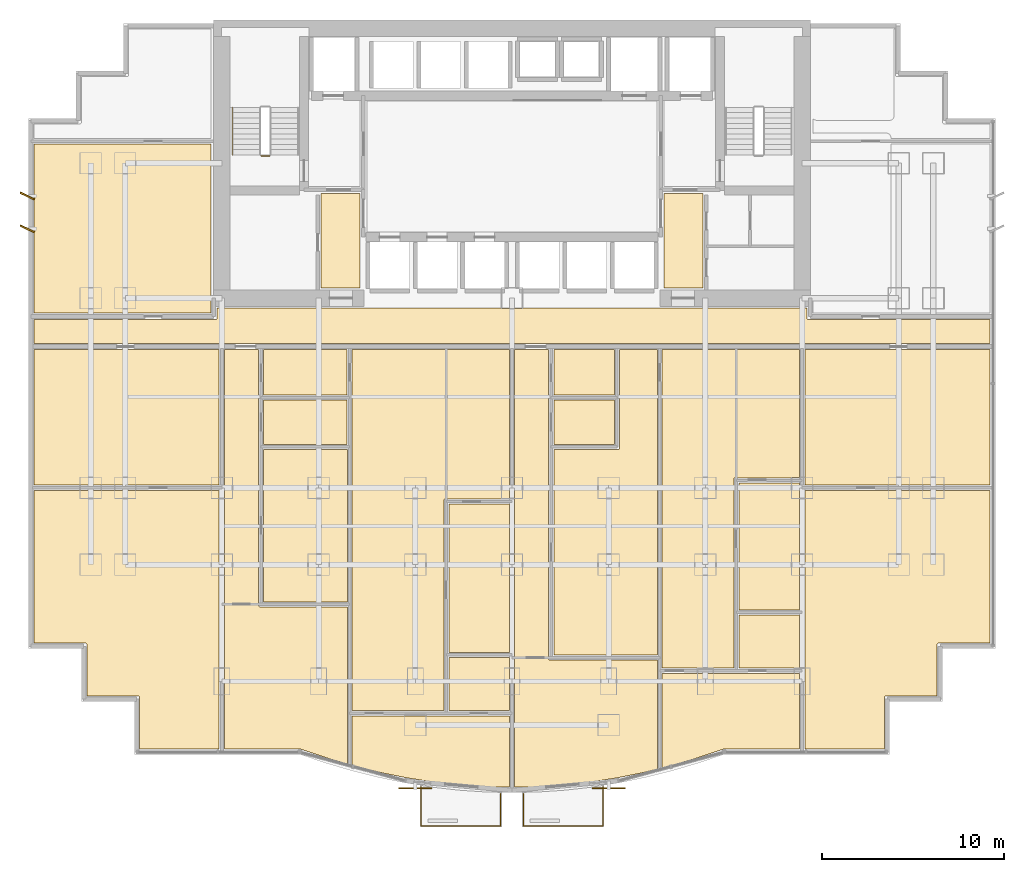
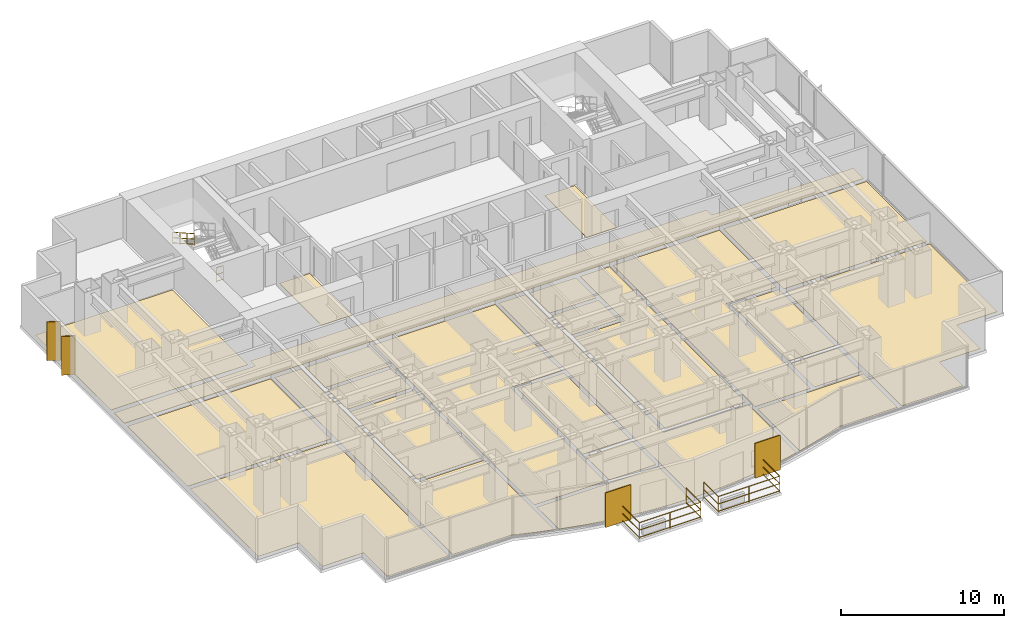
# One storey, part 11 of 12: 24 coverings, 4 railings, 4 shading devices.
"""IFC4 building model written with IfcOpenShell, lengths in metres."""

import ifcopenshell
import ifcopenshell.guid

model = None  # the IFC model being written
_history = None  # IfcOwnerHistory: only IFC2X3 demands one
_inside = {}  # id of a spatial element -> (the spatial element, [elements in it])
_under = {}  # id of a project, library or spatial element -> (it, [spatial elements below it])
_declared = {}  # id of a project -> (the project, [libraries it declares])
_typed = {}  # id of a type object -> (the type object, [elements of that type])
_made_of = {}  # id of a material, layer set ... -> (it, [elements and type objects made of it])


def new_model(schema):
    """Start an empty IFC model of exactly this schema.

    Asked for "IFC4X3", IfcOpenShell would pick the latest addendum, in which some entities
    have other attributes; the version numbers below select the first issue.
    IFC2X3 requires an IfcOwnerHistory on every rooted entity: one is made here for all.
    """
    global model, _history
    if schema == "IFC4X3":
        model = ifcopenshell.file(schema_version=(4, 3, 0, 0))
    else:
        model = ifcopenshell.file(schema=schema)
    _inside.clear()
    _under.clear()
    _declared.clear()
    _typed.clear()
    _made_of.clear()
    _history = None
    if model.schema == "IFC2X3":
        org = make("IfcOrganization", Name="unknown")
        user = make(
            "IfcPersonAndOrganization",
            ThePerson=make("IfcPerson", FamilyName="unknown"),
            TheOrganization=org,
        )
        app = make(
            "IfcApplication",
            ApplicationDeveloper=org,
            Version="unknown",
            ApplicationFullName="unknown",
            ApplicationIdentifier="unknown",
        )
        _history = make(
            "IfcOwnerHistory",
            OwningUser=user,
            OwningApplication=app,
            ChangeAction="ADDED",
            CreationDate=0,
        )
    return model


def make(cls, **values):
    """One entity of the class cls with the attributes given. An attribute that is None is left unset."""
    return model.create_entity(
        cls, **{name: value for name, value in values.items() if value is not None}
    )


def rooted(cls, **values):
    """An entity with a GlobalId (a new one), such as an element, a storey or a relation."""
    return make(cls, GlobalId=ifcopenshell.guid.new(), OwnerHistory=_history, **values)


def si_unit(unit_type, name, prefix=None):
    """IfcSIUnit, for example si_unit("LENGTHUNIT", "METRE", prefix="MILLI")."""
    return make("IfcSIUnit", UnitType=unit_type, Prefix=prefix, Name=name)


def assignment(units):
    """IfcUnitAssignment: the units of a project."""
    return None if units is None else make("IfcUnitAssignment", Units=units)


def point(xyz):
    """IfcCartesianPoint."""
    return None if xyz is None else make("IfcCartesianPoint", Coordinates=xyz)


def direction(xyz):
    """IfcDirection."""
    return None if xyz is None else make("IfcDirection", DirectionRatios=xyz)


def frame(location, z_axis=None, x_axis=None):
    """IfcAxis2Placement3D, a coordinate frame: its origin and axes. An axis left out is left unset."""
    return make(
        "IfcAxis2Placement3D",
        Location=point(location),
        Axis=direction(z_axis),
        RefDirection=direction(x_axis),
    )


def frame_2d(location, x_axis=None):
    """IfcAxis2Placement2D, a coordinate frame in the plane: its origin and x axis."""
    return make(
        "IfcAxis2Placement2D", Location=point(location), RefDirection=direction(x_axis)
    )


def origin():
    """The frame at (0, 0, 0) with its axes left unset."""
    return frame((0.0, 0.0, 0.0))


def origin_2d():
    """The frame at (0, 0) in the plane with its x axis left unset."""
    return frame_2d((0.0, 0.0))


def place(relative_to, where):
    """IfcLocalPlacement: puts the frame where relative to a parent placement (None: the world)."""
    return make(
        "IfcLocalPlacement", PlacementRelTo=relative_to, RelativePlacement=where
    )


def context(
    kind, dimensions, precision=None, world=None, true_north=None, identifier=None
):
    """IfcGeometricRepresentationContext, for example the 3D "Model" context."""
    return make(
        "IfcGeometricRepresentationContext",
        ContextIdentifier=identifier,
        ContextType=kind,
        CoordinateSpaceDimension=dimensions,
        Precision=precision,
        WorldCoordinateSystem=world,
        TrueNorth=true_north,
    )


def subcontext(parent, identifier, kind, view, scale=None):
    """IfcGeometricRepresentationSubContext, for example "Body" below "Model"."""
    return make(
        "IfcGeometricRepresentationSubContext",
        ContextIdentifier=identifier,
        ContextType=kind,
        ParentContext=parent,
        TargetScale=scale,
        TargetView=view,
    )


def project(units=None, contexts=None):
    """IfcProject with its units and contexts."""
    return rooted(
        "IfcProject",
        Name="project",
        RepresentationContexts=contexts,
        UnitsInContext=assignment(units),
    )


def spatial(cls, under=None, at=None, **own):
    """A site, building, storey or space (cls), placed at a placement, below another one or the project."""
    s = rooted(cls, ObjectPlacement=at, **own)
    if under is not None:
        _under.setdefault(under.id(), (under, []))[1].append(s)
    return s


def polyline(points):
    """IfcPolyline through the points."""
    return make("IfcPolyline", Points=[point(p) for p in points])


def profile(cls, at=None, kind="AREA", **sizes):
    """A parametric profile (cls). Its sizes go by their IFC names, for example OverallWidth=200.0."""
    return make(cls, ProfileType=kind, Position=at, **sizes)


def rectangle(**sizes):
    """IfcRectangleProfileDef."""
    return profile("IfcRectangleProfileDef", **sizes)


def circle(**sizes):
    """IfcCircleProfileDef."""
    return profile("IfcCircleProfileDef", **sizes)


def outline(outer, holes=None, kind="AREA"):
    """IfcArbitraryClosedProfileDef: a profile drawn as a closed curve; with holes, ...WithVoids."""
    if holes is None:
        return make("IfcArbitraryClosedProfileDef", ProfileType=kind, OuterCurve=outer)
    return make(
        "IfcArbitraryProfileDefWithVoids",
        ProfileType=kind,
        OuterCurve=outer,
        InnerCurves=holes,
    )


def extrude(swept, where, along, depth):
    """IfcExtrudedAreaSolid: the profile swept, set in the frame where, extruded along a direction by depth."""
    return make(
        "IfcExtrudedAreaSolid",
        SweptArea=swept,
        Position=where,
        ExtrudedDirection=direction(along),
        Depth=depth,
    )


def shape(context_of_items, identifier, shape_type, items):
    """IfcShapeRepresentation: the items that make up one representation, for example the "Body"."""
    return make(
        "IfcShapeRepresentation",
        ContextOfItems=context_of_items,
        RepresentationIdentifier=identifier,
        RepresentationType=shape_type,
        Items=items,
    )


def source(mapping_origin, context_of_items, identifier, shape_type, items):
    """IfcRepresentationMap: a shape defined once, which mapped items show again and again."""
    return make(
        "IfcRepresentationMap",
        MappingOrigin=mapping_origin,
        MappedRepresentation=shape(context_of_items, identifier, shape_type, items),
    )


def transform(
    local_origin,
    x_axis=None,
    y_axis=None,
    z_axis=None,
    scale=None,
    scale2=None,
    scale3=None,
    uniform=True,
):
    """IfcCartesianTransformationOperator3D, or its non-uniform kind. x_axis, y_axis, z_axis: its Axis1, 2, 3."""
    if uniform:
        return make(
            "IfcCartesianTransformationOperator3D",
            Axis1=direction(x_axis),
            Axis2=direction(y_axis),
            LocalOrigin=point(local_origin),
            Scale=scale,
            Axis3=direction(z_axis),
        )
    return make(
        "IfcCartesianTransformationOperator3DnonUniform",
        Axis1=direction(x_axis),
        Axis2=direction(y_axis),
        LocalOrigin=point(local_origin),
        Scale=scale,
        Axis3=direction(z_axis),
        Scale2=scale2,
        Scale3=scale3,
    )


def mapped(mapping_source, mapping_target):
    """IfcMappedItem: shows the shape of a source again, moved by a transform."""
    return make(
        "IfcMappedItem", MappingSource=mapping_source, MappingTarget=mapping_target
    )


def material(Name=None, Category=None):
    """IfcMaterial."""
    return make("IfcMaterial", Name=Name, Category=Category)


def layer(
    of_material, thickness, ventilated=None, Name=None, Category=None, Priority=None
):
    """IfcMaterialLayer: one layer of a wall or slab, of a material (None: an air gap)."""
    return make(
        "IfcMaterialLayer",
        Material=of_material,
        LayerThickness=thickness,
        IsVentilated=ventilated,
        Name=Name,
        Category=Category,
        Priority=Priority,
    )


def layer_set(layers, Name=None):
    """IfcMaterialLayerSet."""
    return make("IfcMaterialLayerSet", MaterialLayers=layers, LayerSetName=Name)


def made_of(thing, what):
    """Note that an element or type object is made of a material, layer set ...; save() writes the relation."""
    if what is not None:
        _made_of.setdefault(what.id(), (what, []))[1].append(thing)
    return thing


def type_object(cls, material=None, **own):
    """A type object (cls), such as IfcWallType, which elements share."""
    return made_of(rooted(cls, **own), material)


def element(
    cls,
    number,
    at=None,
    inside=None,
    cuts=None,
    type_object=None,
    material=None,
    context=None,
    identifier="Body",
    shape_type=None,
    held_by="IfcProductDefinitionShape",
    body=None,
    shapes=None,
    **own,
):
    """One element of the class cls, such as IfcWall. Its Tag is "e" and its number.

    at: its placement. inside: the storey or other place that contains it. cuts: it is an
    opening in that element (IfcRelVoidsElement). A single representation is given by context,
    identifier, shape_type and body (its items); several are given by shapes. held_by: the class
    of the entity that holds the representations. save() writes the other relations.
    """
    e = rooted(cls, Tag="e%d" % number, ObjectPlacement=at, **own)
    if body is not None:
        shapes = [shape(context, identifier, shape_type, body)]
    if shapes is not None:
        e.Representation = make(held_by, Representations=shapes)
    if inside is not None:
        _inside.setdefault(inside.id(), (inside, []))[1].append(e)
    if cuts is not None:
        rooted(
            "IfcRelVoidsElement", RelatingBuildingElement=cuts, RelatedOpeningElement=e
        )
    if type_object is not None:
        _typed.setdefault(type_object.id(), (type_object, []))[1].append(e)
    return made_of(e, material)


def aggregate(whole, parts):
    """IfcRelAggregates: a whole, such as a stair, and the parts it consists of."""
    return rooted("IfcRelAggregates", RelatingObject=whole, RelatedObjects=parts)


def save(model, path):
    """Write the relations noted so far, then the file.

    IfcRelAggregates (storeys below a building ...), IfcRelContainedInSpatialStructure (elements
    in a storey), IfcRelDefinesByType, IfcRelAssociatesMaterial and IfcRelDeclares: one each for
    every whole, place, type object, material and project.
    """
    for whole, parts in _under.values():
        aggregate(whole, parts)
    for where, things in _inside.values():
        rooted(
            "IfcRelContainedInSpatialStructure",
            RelatedElements=things,
            RelatingStructure=where,
        )
    for kind, things in _typed.values():
        rooted("IfcRelDefinesByType", RelatedObjects=things, RelatingType=kind)
    for what, things in _made_of.values():
        rooted("IfcRelAssociatesMaterial", RelatedObjects=things, RelatingMaterial=what)
    for by, libraries in _declared.values():
        rooted("IfcRelDeclares", RelatingContext=by, RelatedDefinitions=libraries)
    model.write(path)


model = new_model("IFC4")

# Units and contexts
model_context = context("Model", 3, precision=1e-05, world=origin(), true_north=direction((0.0, 1.0)))
body_context = subcontext(model_context, "Body", "Model", "MODEL_VIEW")
ifc_project = project(units=[si_unit("LENGTHUNIT", "METRE"), si_unit("AREAUNIT", "SQUARE_METRE"), si_unit("VOLUMEUNIT", "CUBIC_METRE"), si_unit("PLANEANGLEUNIT", "RADIAN"), si_unit("MASSUNIT", "GRAM", prefix="KILO")], contexts=[model_context])

# Site, building, storey
site_placement = place(None, origin())
site = spatial("IfcSite", under=ifc_project, at=site_placement, CompositionType="ELEMENT")
building_placement = place(site_placement, origin())
building = spatial("IfcBuilding", under=site, at=building_placement, Name="Qianlan Lanfeng Residences", CompositionType="ELEMENT")
storey_placement = place(building_placement, frame((0.0, 0.0, 44.0)))
storey = spatial("IfcBuildingStorey", under=building, at=storey_placement, Name="L11", CompositionType="ELEMENT", Elevation=44.0)

# Coverings
ifc_material_1 = material(Name="Honed Taitung Granite Stone Flooring", Category="masonry")
ifc_layer_1 = layer(ifc_material_1, 0.030029296875)
ifc_layer_set_1 = layer_set([ifc_layer_1], Name="Honed Taitung Granite Stone Flooring")
covering_type_1 = type_object("IfcCoveringType", Name="FLR-STN-30", PredefinedType="FLOORING", material=ifc_layer_set_1)
covering_1_placement = place(storey_placement, origin())
element("IfcCovering", 1, at=covering_1_placement, inside=storey, type_object=covering_type_1, Name="L11 Residential Corridor Floor Finish", PredefinedType="FLOORING", context=body_context, shape_type="SweptSolid", body=[
    extrude(outline(polyline([(0.2900390625, 22.72998046875), (52.7099609375, 22.72998046875), (52.7099609375, 24.02001953125), (42.739990234375, 24.02001953125), (42.73291015625, 24.02001953125), (42.72607421875, 24.02099609375), (42.719970703125, 24.02294921875), (42.712890625, 24.02490234375), (42.70703125, 24.028076171875), (42.700927734375, 24.031982421875), (42.696044921875, 24.035888671875), (42.69091796875, 24.041015625), (42.68603515625, 24.0458984375), (42.681884765625, 24.051025390625), (42.677978515625, 24.056884765625), (42.675048828125, 24.06298828125), (42.673095703125, 24.070068359375), (42.6708984375, 24.075927734375), (42.669921875, 24.0830078125), (42.669921875, 24.090087890625), (42.669921875, 24.64990234375), (10.330078125, 24.64990234375), (10.330078125, 24.090087890625), (10.330078125, 24.0830078125), (10.3291015625, 24.075927734375), (10.326904296875, 24.070068359375), (10.324951171875, 24.06298828125), (10.322021484375, 24.056884765625), (10.318115234375, 24.051025390625), (10.31396484375, 24.0458984375), (10.30908203125, 24.041015625), (10.303955078125, 24.035888671875), (10.299072265625, 24.031982421875), (10.29296875, 24.028076171875), (10.287109375, 24.02490234375), (10.280029296875, 24.02294921875), (10.27392578125, 24.02099609375), (10.26708984375, 24.02001953125), (10.260009765625, 24.02001953125), (0.2900390625, 24.02001953125), (0.2900390625, 22.72998046875)])), origin(), (0.0, 0.0, 1.0), 0.030029296875),
])
covering_2_placement = place(storey_placement, origin())
element("IfcCovering", 2, at=covering_2_placement, inside=storey, type_object=covering_type_1, Name="L11 Lift Lobby Floor Finish", PredefinedType="FLOORING", context=body_context, shape_type="SweptSolid", body=[
    extrude(outline(polyline([(16.030029296875, 25.760009765625), (18.169921875, 25.760009765625), (18.169921875, 30.949951171875), (16.030029296875, 30.949951171875), (16.030029296875, 25.760009765625)])), origin(), (0.0, 0.0, 1.0), 0.030029296875),
])
covering_3_placement = place(storey_placement, origin())
element("IfcCovering", 3, at=covering_3_placement, inside=storey, type_object=covering_type_1, Name="L11 Lift Lobby Floor Finish", PredefinedType="FLOORING", context=body_context, shape_type="SweptSolid", body=[
    extrude(outline(polyline([(34.830078125, 25.760009765625), (36.969970703125, 25.760009765625), (36.969970703125, 30.949951171875), (34.830078125, 30.949951171875), (34.830078125, 25.760009765625)])), origin(), (0.0, 0.0, 1.0), 0.030029296875),
])
ifc_material_2 = material(Name="Slip-Resistant Porcelain Tile Flooring")
ifc_layer_2 = layer(ifc_material_2, 0.02001953125)
ifc_layer_set_2 = layer_set([ifc_layer_2], Name="Slip-Resistant Porcelain Tile Flooring")
covering_type_2 = type_object("IfcCoveringType", Name="FLR-TIL-20", PredefinedType="FLOORING", material=ifc_layer_set_2)
covering_4_placement = place(storey_placement, origin())
element("IfcCovering", 4, at=covering_4_placement, inside=storey, type_object=covering_type_2, Name="L11 Kitchen Floor Finish", PredefinedType="FLOORING", context=body_context, shape_type="SweptSolid", body=[
    extrude(outline(polyline([(12.889892578125, 17.18994140625), (17.4599609375, 17.18994140625), (17.4599609375, 19.610107421875), (12.889892578125, 19.610107421875), (12.889892578125, 17.18994140625)])), origin(), (0.0, 0.0, 1.0), 0.02001953125),
])
covering_5_placement = place(storey_placement, origin())
element("IfcCovering", 5, at=covering_5_placement, inside=storey, type_object=covering_type_2, Name="L11 Bathroom Floor Finish", PredefinedType="FLOORING", context=body_context, shape_type="SweptSolid", body=[
    extrude(outline(polyline([(12.889892578125, 19.889892578125), (17.4599609375, 19.889892578125), (17.4599609375, 22.3798828125), (12.889892578125, 22.3798828125), (12.889892578125, 19.889892578125)])), origin(), (0.0, 0.0, 1.0), 0.02001953125),
])
covering_6_placement = place(storey_placement, origin())
element("IfcCovering", 6, at=covering_6_placement, inside=storey, type_object=covering_type_2, Name="L11 En-Suite Bathroom Floor Finish", PredefinedType="FLOORING", context=body_context, shape_type="SweptSolid", body=[
    extrude(outline(polyline([(23.0400390625, 2.591064453125), (26.3701171875, 2.591064453125), (26.3701171875, 5.510986328125), (23.0400390625, 5.510986328125), (23.0400390625, 2.591064453125)])), origin(), (0.0, 0.0, 1.0), 0.02001953125),
])
covering_7_placement = place(storey_placement, origin())
element("IfcCovering", 7, at=covering_7_placement, inside=storey, type_object=covering_type_2, Name="L11 Kitchen Floor Finish", PredefinedType="FLOORING", context=body_context, shape_type="SweptSolid", body=[
    extrude(outline(polyline([(28.7900390625, 17.18994140625), (32.110107421875, 17.18994140625), (32.110107421875, 19.610107421875), (28.7900390625, 19.610107421875), (28.7900390625, 17.18994140625)])), origin(), (0.0, 0.0, 1.0), 0.02001953125),
])
covering_8_placement = place(storey_placement, origin())
element("IfcCovering", 8, at=covering_8_placement, inside=storey, type_object=covering_type_2, Name="L11 Bathroom Floor Finish", PredefinedType="FLOORING", context=body_context, shape_type="SweptSolid", body=[
    extrude(outline(polyline([(28.7900390625, 19.889892578125), (32.110107421875, 19.889892578125), (32.110107421875, 22.3798828125), (28.7900390625, 22.3798828125), (28.7900390625, 19.889892578125)])), origin(), (0.0, 0.0, 1.0), 0.02001953125),
])
covering_9_placement = place(storey_placement, origin())
element("IfcCovering", 9, at=covering_9_placement, inside=storey, type_object=covering_type_2, Name="L11 En-Suite Bathroom Floor Finish", PredefinedType="FLOORING", context=body_context, shape_type="SweptSolid", body=[
    extrude(outline(polyline([(38.93994140625, 4.9189453125), (42.27001953125, 4.9189453125), (42.27001953125, 7.839111328125), (38.93994140625, 7.839111328125), (38.93994140625, 4.9189453125)])), origin(), (0.0, 0.0, 1.0), 0.02001953125),
])
ifc_material_3 = material(Name="Engineered Smoked Oak Timber Flooring", Category="wood")
ifc_layer_3 = layer(ifc_material_3, 0.02197265625)
ifc_layer_set_3 = layer_set([ifc_layer_3], Name="Engineered Smoked Oak Timber Flooring")
covering_type_3 = type_object("IfcCoveringType", Name="FLR-TIM-22", PredefinedType="FLOORING", material=ifc_layer_set_3)
covering_10_placement = place(storey_placement, origin())
element("IfcCovering", 10, at=covering_10_placement, inside=storey, type_object=covering_type_3, Name="L11 Living and Dining Room Floor Finish", PredefinedType="FLOORING", context=body_context, shape_type="SweptSolid", body=[
    extrude(outline(polyline([(17.469970703125, -0.3310546875), (17.469970703125, 8.280029296875), (12.679931640625, 8.280029296875), (12.673095703125, 8.280029296875), (12.666015625, 8.281005859375), (12.659912109375, 8.282958984375), (12.653076171875, 8.284912109375), (12.64697265625, 8.2880859375), (12.64111328125, 8.2919921875), (12.635986328125, 8.2958984375), (12.631103515625, 8.301025390625), (12.6259765625, 8.305908203125), (12.6220703125, 8.31103515625), (12.617919921875, 8.31689453125), (12.614990234375, 8.322998046875), (12.613037109375, 8.330078125), (12.611083984375, 8.3359375), (12.610107421875, 8.343017578125), (12.610107421875, 8.35009765625), (12.610107421875, 22.3798828125), (10.72998046875, 22.3798828125), (10.72998046875, 0.489990234375), (14.885986328125, 0.489990234375), (14.89404296875, 0.489990234375), (14.90087890625, 0.488037109375), (14.908935546875, 0.486083984375), (16.39306640625, -0.014892578125), (17.469970703125, -0.3310546875)])), origin(), (0.0, 0.0, 1.0), 0.02197265625),
])
covering_11_placement = place(storey_placement, origin())
element("IfcCovering", 11, at=covering_11_placement, inside=storey, type_object=covering_type_3, Name="L11 Villa Family Sitting Room Floor Finish", PredefinedType="FLOORING", context=body_context, shape_type="SweptSolid", body=[
    extrude(outline(polyline([(12.889892578125, 16.909912109375), (12.889892578125, 8.56005859375), (17.469970703125, 8.56005859375), (17.469970703125, 16.909912109375), (12.889892578125, 16.909912109375)])), origin(), (0.0, 0.0, 1.0), 0.02197265625),
])
covering_12_placement = place(storey_placement, origin())
element("IfcCovering", 12, at=covering_12_placement, inside=storey, type_object=covering_type_3, Name="L11 Private Study Floor Finish", PredefinedType="FLOORING", context=body_context, shape_type="SweptSolid", body=[
    extrude(outline(polyline([(23.0400390625, 5.791015625), (26.3701171875, 5.791015625), (26.3701171875, 13.909912109375), (23.0400390625, 13.909912109375), (23.0400390625, 5.791015625)])), origin(), (0.0, 0.0, 1.0), 0.02197265625),
])
covering_13_placement = place(storey_placement, origin())
element("IfcCovering", 13, at=covering_13_placement, inside=storey, type_object=covering_type_3, Name="L11 Villa Family Sitting Room Floor Finish", PredefinedType="FLOORING", context=body_context, shape_type="SweptSolid", body=[
    extrude(outline(polyline([(17.72998046875, 2.591064453125), (22.760009765625, 2.591064453125), (22.760009765625, 14.1201171875), (22.760009765625, 14.126953125), (22.760986328125, 14.134033203125), (22.762939453125, 14.139892578125), (22.764892578125, 14.14697265625), (22.76806640625, 14.153076171875), (22.77197265625, 14.158935546875), (22.77587890625, 14.1640625), (22.781005859375, 14.1689453125), (22.785888671875, 14.174072265625), (22.791015625, 14.177978515625), (22.797119140625, 14.181884765625), (22.802978515625, 14.18505859375), (22.81005859375, 14.18701171875), (22.81591796875, 14.18896484375), (22.822998046875, 14.18994140625), (22.830078125, 14.18994140625), (26.3701171875, 14.18994140625), (26.3701171875, 22.3798828125), (17.72998046875, 22.3798828125), (17.72998046875, 2.591064453125)])), origin(), (0.0, 0.0, 1.0), 0.02197265625),
])
covering_14_placement = place(storey_placement, origin())
element("IfcCovering", 14, at=covering_14_placement, inside=storey, type_object=covering_type_3, Name="L11 Master Bedroom Floor Finish", PredefinedType="FLOORING", context=body_context, shape_type="SweptSolid", body=[
    extrude(outline(polyline([(17.72998046875, 2.31103515625), (17.72998046875, -0.406982421875), (17.837890625, -0.43896484375), (19.282958984375, -0.797119140625), (20.72607421875, -1.090087890625), (22.169921875, -1.318115234375), (23.613037109375, -1.47998046875), (25.056884765625, -1.576904296875), (26.3701171875, -1.60693359375), (26.3701171875, 2.31103515625), (17.72998046875, 2.31103515625)])), origin(), (0.0, 0.0, 1.0), 0.02197265625),
])
covering_15_placement = place(storey_placement, origin())
element("IfcCovering", 15, at=covering_15_placement, inside=storey, type_object=covering_type_3, Name="L11 Living and Dining Room Floor Finish", PredefinedType="FLOORING", context=body_context, shape_type="SweptSolid", body=[
    extrude(outline(polyline([(34.469970703125, -0.610107421875), (34.469970703125, 5.35400390625), (28.580078125, 5.35400390625), (28.572998046875, 5.35400390625), (28.56591796875, 5.35498046875), (28.56005859375, 5.35693359375), (28.552978515625, 5.35888671875), (28.547119140625, 5.362060546875), (28.541015625, 5.365966796875), (28.535888671875, 5.3701171875), (28.531005859375, 5.375), (28.52587890625, 5.3798828125), (28.52197265625, 5.385009765625), (28.51806640625, 5.39111328125), (28.514892578125, 5.39697265625), (28.512939453125, 5.404052734375), (28.510986328125, 5.409912109375), (28.510009765625, 5.4169921875), (28.510009765625, 5.424072265625), (28.510009765625, 22.3798828125), (26.6298828125, 22.3798828125), (26.6298828125, -1.60693359375), (27.943115234375, -1.576904296875), (29.385986328125, -1.47998046875), (30.830078125, -1.318115234375), (32.27392578125, -1.090087890625), (33.717041015625, -0.797119140625), (34.469970703125, -0.610107421875)])), origin(), (0.0, 0.0, 1.0), 0.02197265625),
])
covering_16_placement = place(storey_placement, origin())
element("IfcCovering", 16, at=covering_16_placement, inside=storey, type_object=covering_type_3, Name="L11 Villa Family Sitting Room Floor Finish", PredefinedType="FLOORING", context=body_context, shape_type="SweptSolid", body=[
    extrude(outline(polyline([(28.7900390625, 5.634033203125), (34.469970703125, 5.634033203125), (34.469970703125, 22.3798828125), (32.389892578125, 22.3798828125), (32.389892578125, 16.97998046875), (32.389892578125, 16.972900390625), (32.388916015625, 16.966064453125), (32.386962890625, 16.9599609375), (32.385009765625, 16.952880859375), (32.382080078125, 16.947021484375), (32.3779296875, 16.94091796875), (32.3740234375, 16.93603515625), (32.368896484375, 16.930908203125), (32.364013671875, 16.926025390625), (32.35888671875, 16.922119140625), (32.35302734375, 16.91796875), (32.346923828125, 16.9150390625), (32.340087890625, 16.9130859375), (32.333984375, 16.910888671875), (32.326904296875, 16.909912109375), (32.320068359375, 16.909912109375), (28.7900390625, 16.909912109375), (28.7900390625, 5.634033203125)])), origin(), (0.0, 0.0, 1.0), 0.02197265625),
])
covering_17_placement = place(storey_placement, origin())
element("IfcCovering", 17, at=covering_17_placement, inside=storey, type_object=covering_type_3, Name="L11 Private Study Floor Finish", PredefinedType="FLOORING", context=body_context, shape_type="SweptSolid", body=[
    extrude(outline(polyline([(38.93994140625, 8.118896484375), (42.27001953125, 8.118896484375), (42.27001953125, 15.073974609375), (38.93994140625, 15.073974609375), (38.93994140625, 8.118896484375)])), origin(), (0.0, 0.0, 1.0), 0.02197265625),
])
covering_18_placement = place(storey_placement, origin())
element("IfcCovering", 18, at=covering_18_placement, inside=storey, type_object=covering_type_3, Name="L11 Villa Family Sitting Room Floor Finish", PredefinedType="FLOORING", context=body_context, shape_type="SweptSolid", body=[
    extrude(outline(polyline([(34.72998046875, 4.9189453125), (38.659912109375, 4.9189453125), (38.659912109375, 15.283935546875), (38.659912109375, 15.291015625), (38.660888671875, 15.298095703125), (38.6630859375, 15.303955078125), (38.6650390625, 15.31103515625), (38.66796875, 15.31689453125), (38.672119140625, 15.322998046875), (38.676025390625, 15.327880859375), (38.680908203125, 15.3330078125), (38.68603515625, 15.337890625), (38.69091796875, 15.342041015625), (38.697021484375, 15.345947265625), (38.702880859375, 15.34912109375), (38.7099609375, 15.35107421875), (38.716064453125, 15.35302734375), (38.722900390625, 15.35400390625), (38.72998046875, 15.35400390625), (42.27001953125, 15.35400390625), (42.27001953125, 22.3798828125), (34.72998046875, 22.3798828125), (34.72998046875, 4.9189453125)])), origin(), (0.0, 0.0, 1.0), 0.02197265625),
])
covering_19_placement = place(storey_placement, origin())
element("IfcCovering", 19, at=covering_19_placement, inside=storey, type_object=covering_type_3, Name="L11 Master Bedroom Floor Finish", PredefinedType="FLOORING", context=body_context, shape_type="SweptSolid", body=[
    extrude(outline(polyline([(34.72998046875, 4.638916015625), (34.72998046875, -0.5458984375), (35.160888671875, -0.43896484375), (36.60693359375, -0.014892578125), (38.091064453125, 0.486083984375), (38.09912109375, 0.488037109375), (38.10595703125, 0.489990234375), (38.114013671875, 0.489990234375), (42.27001953125, 0.489990234375), (42.27001953125, 4.638916015625), (34.72998046875, 4.638916015625)])), origin(), (0.0, 0.0, 1.0), 0.02197265625),
])
covering_20_placement = place(storey_placement, origin())
element("IfcCovering", 20, at=covering_20_placement, inside=storey, type_object=covering_type_3, Name="L11 Sunroom Floor Finish", PredefinedType="FLOORING", context=body_context, shape_type="SweptSolid", body=[
    extrude(outline(polyline([(10.43994140625, 14.64990234375), (0.2900390625, 14.64990234375), (0.2900390625, 6.2900390625), (3.1201171875, 6.2900390625), (3.126953125, 6.2900390625), (3.134033203125, 6.2890625), (3.139892578125, 6.287109375), (3.14697265625, 6.284912109375), (3.153076171875, 6.281982421875), (3.158935546875, 6.278076171875), (3.1640625, 6.27392578125), (3.1689453125, 6.26904296875), (3.174072265625, 6.263916015625), (3.177978515625, 6.259033203125), (3.181884765625, 6.2529296875), (3.18505859375, 6.2470703125), (3.18701171875, 6.239990234375), (3.18896484375, 6.23388671875), (3.18994140625, 6.22705078125), (3.18994140625, 6.219970703125), (3.18994140625, 3.389892578125), (6.02001953125, 3.389892578125), (6.027099609375, 3.389892578125), (6.033935546875, 3.388916015625), (6.0400390625, 3.386962890625), (6.047119140625, 3.385009765625), (6.052978515625, 3.382080078125), (6.05908203125, 3.3779296875), (6.06396484375, 3.3740234375), (6.069091796875, 3.368896484375), (6.073974609375, 3.364013671875), (6.077880859375, 3.35888671875), (6.08203125, 3.35302734375), (6.0849609375, 3.346923828125), (6.0869140625, 3.340087890625), (6.089111328125, 3.333984375), (6.090087890625, 3.326904296875), (6.090087890625, 3.320068359375), (6.090087890625, 0.489990234375), (10.43994140625, 0.489990234375), (10.43994140625, 14.64990234375)])), origin(), (0.0, 0.0, 1.0), 0.02197265625),
])
covering_21_placement = place(storey_placement, origin())
element("IfcCovering", 21, at=covering_21_placement, inside=storey, type_object=covering_type_3, Name="L11 Family Sitting Room Floor Finish", PredefinedType="FLOORING", context=body_context, shape_type="SweptSolid", body=[
    extrude(outline(polyline([(10.43994140625, 22.3798828125), (0.2900390625, 22.3798828125), (0.2900390625, 14.949951171875), (10.43994140625, 14.949951171875), (10.43994140625, 22.3798828125)])), origin(), (0.0, 0.0, 1.0), 0.02197265625),
])
covering_22_placement = place(storey_placement, origin())
element("IfcCovering", 22, at=covering_22_placement, inside=storey, type_object=covering_type_3, Name="L11 Sunroom Floor Finish", PredefinedType="FLOORING", context=body_context, shape_type="SweptSolid", body=[
    extrude(outline(polyline([(52.7099609375, 14.64990234375), (42.56005859375, 14.64990234375), (42.56005859375, 0.489990234375), (46.909912109375, 0.489990234375), (46.909912109375, 3.320068359375), (46.909912109375, 3.326904296875), (46.910888671875, 3.333984375), (46.9130859375, 3.340087890625), (46.9150390625, 3.346923828125), (46.91796875, 3.35302734375), (46.922119140625, 3.35888671875), (46.926025390625, 3.364013671875), (46.930908203125, 3.368896484375), (46.93603515625, 3.3740234375), (46.94091796875, 3.3779296875), (46.947021484375, 3.382080078125), (46.952880859375, 3.385009765625), (46.9599609375, 3.386962890625), (46.966064453125, 3.388916015625), (46.972900390625, 3.389892578125), (46.97998046875, 3.389892578125), (49.81005859375, 3.389892578125), (49.81005859375, 6.219970703125), (49.81005859375, 6.22705078125), (49.81103515625, 6.23388671875), (49.81298828125, 6.239990234375), (49.81494140625, 6.2470703125), (49.818115234375, 6.2529296875), (49.822021484375, 6.259033203125), (49.825927734375, 6.263916015625), (49.8310546875, 6.26904296875), (49.8359375, 6.27392578125), (49.841064453125, 6.278076171875), (49.846923828125, 6.281982421875), (49.85302734375, 6.284912109375), (49.860107421875, 6.287109375), (49.865966796875, 6.2890625), (49.873046875, 6.2900390625), (49.8798828125, 6.2900390625), (52.7099609375, 6.2900390625), (52.7099609375, 14.64990234375)])), origin(), (0.0, 0.0, 1.0), 0.02197265625),
])
covering_23_placement = place(storey_placement, origin())
element("IfcCovering", 23, at=covering_23_placement, inside=storey, type_object=covering_type_3, Name="L11 Private Study Floor Finish", PredefinedType="FLOORING", context=body_context, shape_type="SweptSolid", body=[
    extrude(outline(polyline([(52.7099609375, 22.3798828125), (42.56005859375, 22.3798828125), (42.56005859375, 14.949951171875), (52.7099609375, 14.949951171875), (52.7099609375, 22.3798828125)])), origin(), (0.0, 0.0, 1.0), 0.02197265625),
])
covering_24_placement = place(storey_placement, origin())
element("IfcCovering", 24, at=covering_24_placement, inside=storey, type_object=covering_type_3, Name="L11 Piano Salon Floor Finish", PredefinedType="FLOORING", context=body_context, shape_type="SweptSolid", body=[
    extrude(outline(polyline([(10.0, 33.64990234375), (0.2900390625, 33.64990234375), (0.2900390625, 24.3798828125), (10.0, 24.3798828125), (10.0, 33.64990234375)])), origin(), (0.0, 0.0, 1.0), 0.02197265625),
])

# Railings
ifc_material_4 = material(Name="Anodised Bronze Aluminium and Laminated Glass Guard Balustrade", Category="aluminium")
railing_type_1 = type_object("IfcRailingType", Name="GR-EXT-1220", PredefinedType="BALUSTRADE", material=ifc_material_4)
railing_1_placement = place(storey_placement, frame((25.8798828125, -1.9560546875, 0.0)))
element("IfcRailing", 25, at=railing_1_placement, inside=storey, type_object=railing_type_1, Name="L11 Terrace Safety Guard GR-L11-SB-W", PredefinedType="BALUSTRADE", context=body_context, shape_type="SweptSolid", body=[
    extrude(circle(Radius=0.02490234375, at=origin_2d()), frame((0.0, 0.0, 0.0849609375), z_axis=(0.0, -1.0, 0.0), x_axis=(1.0, 0.0, 0.0)), (0.0, 0.0, 1.0), 1.77392578125),
    extrude(circle(Radius=0.02490234375, at=origin_2d()), frame((0.0, 0.0, 0.63427734375), z_axis=(0.0, -1.0, 0.0), x_axis=(1.0, 0.0, 0.0)), (0.0, 0.0, 1.0), 1.77392578125),
    extrude(circle(Radius=0.02490234375, at=origin_2d()), frame((0.0, 0.0, 1.19482421875), z_axis=(0.0, -1.0, 0.0), x_axis=(1.0, 0.0, 0.0)), (0.0, 0.0, 1.0), 1.77392578125),
    extrude(circle(Radius=0.02490234375, at=origin_2d()), frame((0.0, -1.77392578125, 0.0849609375), z_axis=(-1.0, 0.0, 0.0), x_axis=(0.0, -1.0, 0.0)), (0.0, 0.0, 1.0), 4.35986328125),
    extrude(circle(Radius=0.02490234375, at=origin_2d()), frame((0.0, -1.77392578125, 0.63427734375), z_axis=(-1.0, 0.0, 0.0), x_axis=(0.0, -1.0, 0.0)), (0.0, 0.0, 1.0), 4.35986328125),
    extrude(circle(Radius=0.02490234375, at=origin_2d()), frame((0.0, -1.77392578125, 1.19482421875), z_axis=(-1.0, 0.0, 0.0), x_axis=(0.0, -1.0, 0.0)), (0.0, 0.0, 1.0), 4.35986328125),
    extrude(circle(Radius=0.02490234375, at=origin_2d()), frame((-4.35986328125, -1.77392578125, 0.0849609375), z_axis=(0.0, 1.0, 0.0), x_axis=(-1.0, 0.0, 0.0)), (0.0, 0.0, 1.0), 2.15087890625),
    extrude(circle(Radius=0.02490234375, at=origin_2d()), frame((-4.35986328125, -1.77392578125, 0.63427734375), z_axis=(0.0, 1.0, 0.0), x_axis=(-1.0, 0.0, 0.0)), (0.0, 0.0, 1.0), 2.15087890625),
    extrude(circle(Radius=0.02490234375, at=origin_2d()), frame((-4.35986328125, -1.77392578125, 1.19482421875), z_axis=(0.0, 1.0, 0.0), x_axis=(-1.0, 0.0, 0.0)), (0.0, 0.0, 1.0), 2.15087890625),
    extrude(circle(Radius=0.02099609375, at=origin_2d()), origin(), (0.0, 0.0, 1.0), 1.169921875),
    extrude(circle(Radius=0.02099609375, at=origin_2d()), frame((0.0, -1.77392578125, 0.0)), (0.0, 0.0, 1.0), 1.169921875),
    extrude(circle(Radius=0.02099609375, at=origin_2d()), frame((-2.179931640625, -1.77392578125, 0.0)), (0.0, 0.0, 1.0), 1.169921875),
    extrude(circle(Radius=0.02099609375, at=origin_2d()), frame((-4.35986328125, -1.77392578125, 0.0)), (0.0, 0.0, 1.0), 1.169921875),
    extrude(circle(Radius=0.02099609375, at=origin_2d()), frame((-4.35986328125, 0.376953125, 0.0)), (0.0, 0.0, 1.0), 1.169921875),
])
railing_2_placement = place(storey_placement, frame((31.47998046875, -1.5791015625, 0.0)))
element("IfcRailing", 26, at=railing_2_placement, inside=storey, type_object=railing_type_1, Name="L11 Terrace Safety Guard GR-L11-SB-E", PredefinedType="BALUSTRADE", context=body_context, shape_type="SweptSolid", body=[
    extrude(circle(Radius=0.02490234375, at=origin_2d()), frame((0.0, 0.0, 0.0849609375), z_axis=(0.0, -1.0, 0.0), x_axis=(1.0, 0.0, 0.0)), (0.0, 0.0, 1.0), 2.15087890625),
    extrude(circle(Radius=0.02490234375, at=origin_2d()), frame((0.0, 0.0, 0.63427734375), z_axis=(0.0, -1.0, 0.0), x_axis=(1.0, 0.0, 0.0)), (0.0, 0.0, 1.0), 2.15087890625),
    extrude(circle(Radius=0.02490234375, at=origin_2d()), frame((0.0, 0.0, 1.19482421875), z_axis=(0.0, -1.0, 0.0), x_axis=(1.0, 0.0, 0.0)), (0.0, 0.0, 1.0), 2.15087890625),
    extrude(circle(Radius=0.02490234375, at=origin_2d()), frame((0.0, -2.15087890625, 0.0849609375), z_axis=(-1.0, 0.0, 0.0), x_axis=(0.0, -1.0, 0.0)), (0.0, 0.0, 1.0), 4.35986328125),
    extrude(circle(Radius=0.02490234375, at=origin_2d()), frame((0.0, -2.15087890625, 0.63427734375), z_axis=(-1.0, 0.0, 0.0), x_axis=(0.0, -1.0, 0.0)), (0.0, 0.0, 1.0), 4.35986328125),
    extrude(circle(Radius=0.02490234375, at=origin_2d()), frame((0.0, -2.15087890625, 1.19482421875), z_axis=(-1.0, 0.0, 0.0), x_axis=(0.0, -1.0, 0.0)), (0.0, 0.0, 1.0), 4.35986328125),
    extrude(circle(Radius=0.02490234375, at=origin_2d()), frame((-4.35986328125, -2.15087890625, 0.0849609375), z_axis=(0.0, 1.0, 0.0), x_axis=(-1.0, 0.0, 0.0)), (0.0, 0.0, 1.0), 1.77392578125),
    extrude(circle(Radius=0.02490234375, at=origin_2d()), frame((-4.35986328125, -2.15087890625, 0.63427734375), z_axis=(0.0, 1.0, 0.0), x_axis=(-1.0, 0.0, 0.0)), (0.0, 0.0, 1.0), 1.77392578125),
    extrude(circle(Radius=0.02490234375, at=origin_2d()), frame((-4.35986328125, -2.15087890625, 1.19482421875), z_axis=(0.0, 1.0, 0.0), x_axis=(-1.0, 0.0, 0.0)), (0.0, 0.0, 1.0), 1.77392578125),
    extrude(circle(Radius=0.02099609375, at=origin_2d()), origin(), (0.0, 0.0, 1.0), 1.169921875),
    extrude(circle(Radius=0.02099609375, at=origin_2d()), frame((0.0, -2.15087890625, 0.0)), (0.0, 0.0, 1.0), 1.169921875),
    extrude(circle(Radius=0.02099609375, at=origin_2d()), frame((-2.179931640625, -2.15087890625, 0.0)), (0.0, 0.0, 1.0), 1.169921875),
    extrude(circle(Radius=0.02099609375, at=origin_2d()), frame((-4.35986328125, -2.15087890625, 0.0)), (0.0, 0.0, 1.0), 1.169921875),
    extrude(circle(Radius=0.02099609375, at=origin_2d()), frame((-4.35986328125, -0.376953125, 0.0)), (0.0, 0.0, 1.0), 1.169921875),
])
ifc_material_5 = material(Name="Painted Galvanised Steel Guardrail", Category="steel")
railing_type_2 = type_object("IfcRailingType", Name="GR-ST-1120", PredefinedType="GUARDRAIL", material=ifc_material_5)
railing_3_placement = place(storey_placement, frame((13.219970703125, 33.0, 0.0)))
element("IfcRailing", 27, at=railing_3_placement, inside=storey, type_object=railing_type_2, Name="L11 ST-1 stair guard 4", PredefinedType="GUARDRAIL", context=body_context, shape_type="SweptSolid", body=[
    extrude(circle(Radius=0.02392578125, at=origin_2d()), frame((0.0, 0.0, 0.083984375), z_axis=(-1.0, 0.0, 0.0), x_axis=(0.0, -1.0, 0.0)), (0.0, 0.0, 1.0), 0.47998046875),
    extrude(circle(Radius=0.02392578125, at=origin_2d()), frame((0.0, 0.0, 0.58251953125), z_axis=(-1.0, 0.0, 0.0), x_axis=(0.0, -1.0, 0.0)), (0.0, 0.0, 1.0), 0.47998046875),
    extrude(circle(Radius=0.02392578125, at=origin_2d()), frame((0.0, 0.0, 1.09619140625), z_axis=(-1.0, 0.0, 0.0), x_axis=(0.0, -1.0, 0.0)), (0.0, 0.0, 1.0), 0.47998046875),
    extrude(circle(Radius=0.02099609375, at=origin_2d()), origin(), (0.0, 0.0, 1.0), 1.072021484375),
    extrude(circle(Radius=0.02099609375, at=origin_2d()), frame((-0.47998046875, 0.0, 0.0)), (0.0, 0.0, 1.0), 1.072021484375),
])
ifc_material_6 = material(Name="Brushed Stainless Steel Handrail", Category="steel")
railing_type_3 = type_object("IfcRailingType", Name="HR-ST-920", PredefinedType="HANDRAIL", material=ifc_material_6)
railing_4_placement = place(storey_placement, frame((11.18994140625, 35.659912109375, 1.81494140625)))
element("IfcRailing", 28, at=railing_4_placement, inside=storey, type_object=railing_type_3, Name="L11 ST-1 stair handrail 2", PredefinedType="HANDRAIL", context=body_context, shape_type="SweptSolid", body=[
    extrude(circle(Radius=0.02392578125, at=origin_2d()), frame((0.0, 0.0, 0.083984375), z_axis=(0.0, -0.869137319866, 0.494570843475), x_axis=(1.0, 0.0, 0.0)), (0.0, 0.0, 1.0), 3.0029296875),
    extrude(circle(Radius=0.02392578125, at=origin_2d()), frame((0.0, 0.0, 0.468017578125), z_axis=(0.0, -0.869137319866, 0.494570843475), x_axis=(1.0, 0.0, 0.0)), (0.0, 0.0, 1.0), 3.0029296875),
    extrude(circle(Radius=0.02392578125, at=origin_2d()), frame((0.0, 0.0, 0.8759765625), z_axis=(0.0, -0.869137319866, 0.494570843475), x_axis=(1.0, 0.0, 0.0)), (0.0, 0.0, 1.0), 3.0029296875),
    extrude(circle(Radius=0.02099609375, at=origin_2d()), origin(), (0.0, 0.0, 1.0), 0.851806640625),
    extrude(circle(Radius=0.02099609375, at=origin_2d()), frame((0.0, -0.869873046875, 0.4951171875)), (0.0, 0.0, 1.0), 0.851806640625),
    extrude(circle(Radius=0.02099609375, at=origin_2d()), frame((0.0, -1.739990234375, 0.989990234375)), (0.0, 0.0, 1.0), 0.851806640625),
    extrude(circle(Radius=0.02099609375, at=origin_2d()), frame((0.0, -2.60986328125, 1.485107421875)), (0.0, 0.0, 1.0), 0.851806640625),
])

# Shading devices
ifc_material_7 = material(Name="Perforated Bronze Aluminium Solar Screen", Category="aluminium")
shading_device_type_1 = type_object("IfcShadingDeviceType", Name="SCR-BRZ-1800", PredefinedType="JALOUSIE", material=ifc_material_7)
shared_shape_1 = source(origin(), body_context, "Body", "SweptSolid", [
    extrude(rectangle(XDim=1.800048828125, YDim=0.06005859375, at=origin_2d()), origin(), (0.0, 0.0, 1.0), 2.60009765625),
])
for number, where, z_axis, x_axis, name in (
    (29, (21.199951171875, -1.659912109375, 0.0), (0.0, 0.0, 1.0), (1.0, 0.0, 0.0), "L11 Perforated Bronze Solar Screen 1"),
    (30, (31.800048828125, -1.659912109375, 0.0), (0.0, 0.0, 1.0), (1.0, 0.0, 0.0), "L11 Perforated Bronze Solar Screen 2"),
):
    element("IfcShadingDevice", number, at=place(storey_placement, frame(where, z_axis=z_axis, x_axis=x_axis)), inside=storey, type_object=shading_device_type_1, Name=name, PredefinedType="JALOUSIE", context=body_context, shape_type="MappedRepresentation", body=[
        mapped(shared_shape_1, transform((0.0, 0.0, 0.0), scale=1.0)),
    ])
ifc_material_8 = material(Name="Anodised Bronze Aluminium Solar Fin", Category="aluminium")
shading_device_type_2 = type_object("IfcShadingDeviceType", Name="FIN-BRZ-850", PredefinedType="SHUTTER", material=ifc_material_8)
shared_shape_2 = source(origin(), body_context, "Body", "SweptSolid", [
    extrude(rectangle(XDim=0.85009765625, YDim=0.080078125, at=origin_2d()), origin(), (0.0, 0.0, 1.0), 2.89990234375),
])
for number, where, z_axis, x_axis, name in (
    (31, (-0.070068359375, 29.0, 0.0), (0.0, 0.0, 1.0), (0.898794046299, -0.438371146789, 0.0), "L11 Raked Bronze Solar Fin W1"),
    (32, (-0.070068359375, 30.800048828125, 0.0), (0.0, 0.0, 1.0), (0.898794046299, -0.438371146789, 0.0), "L11 Raked Bronze Solar Fin W2"),
):
    element("IfcShadingDevice", number, at=place(storey_placement, frame(where, z_axis=z_axis, x_axis=x_axis)), inside=storey, type_object=shading_device_type_2, Name=name, PredefinedType="SHUTTER", context=body_context, shape_type="MappedRepresentation", body=[
        mapped(shared_shape_2, transform((0.0, 0.0, 0.0), scale=1.0)),
    ])

save(model, "model.ifc")
